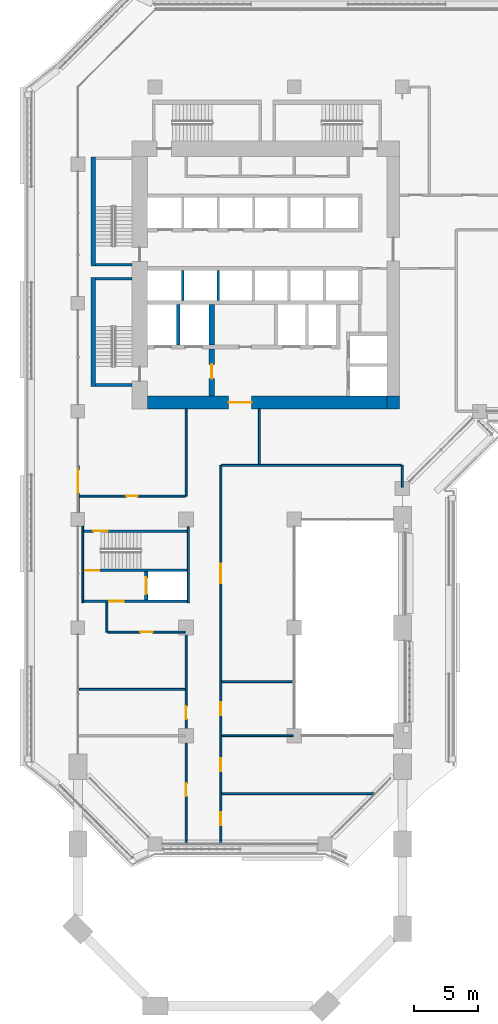
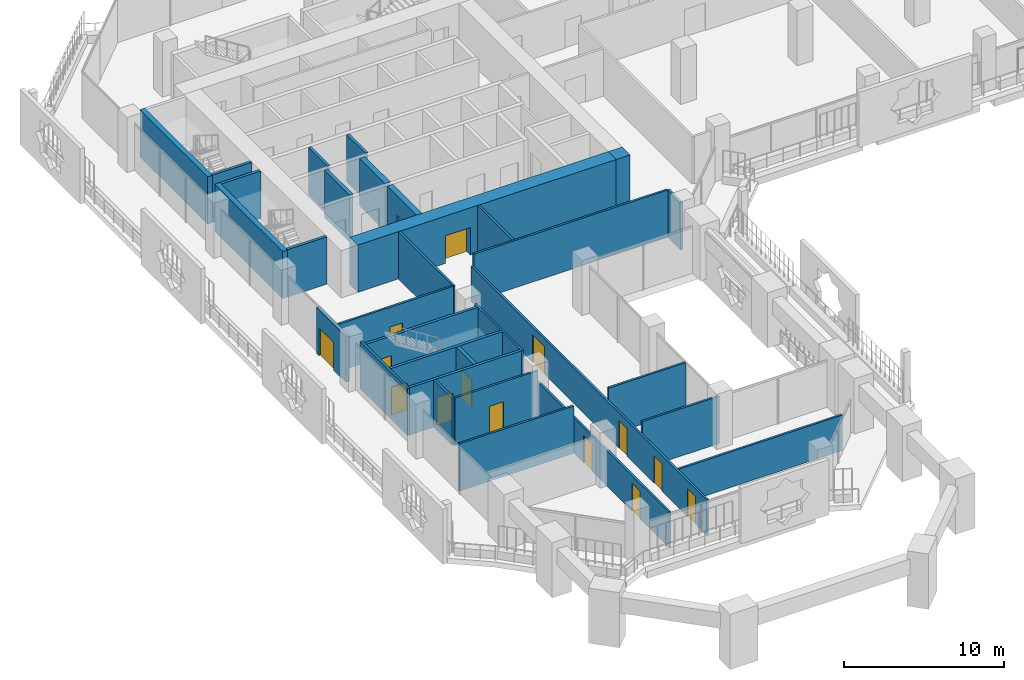
# One storey, part 13 of 27: 32 walls, 15 doors, 15 openings.
"""IFC4 building model written with IfcOpenShell, lengths in metres."""

from ifc_helpers import new_model, si_unit, direction, frame, frame_2d, origin, place, context, subcontext, project, spatial, rectangle, extrude, material, layer, layer_set, type_object, element, fill, save


model = new_model("IFC4")

# Units and contexts
model_context = context("Model", 3, precision=1e-05, world=origin(), true_north=direction((0.0, 1.0)))
body_context = subcontext(model_context, "Body", "Model", "MODEL_VIEW")
ifc_project = project(units=[si_unit("LENGTHUNIT", "METRE"), si_unit("AREAUNIT", "SQUARE_METRE"), si_unit("VOLUMEUNIT", "CUBIC_METRE"), si_unit("PLANEANGLEUNIT", "RADIAN"), si_unit("MASSUNIT", "GRAM", prefix="KILO")], contexts=[model_context])

# Site, building, storey
site_placement = place(None, origin())
site = spatial("IfcSite", under=ifc_project, at=site_placement, CompositionType="ELEMENT")
building_placement = place(site_placement, origin())
building = spatial("IfcBuilding", under=site, at=building_placement, Name="Kawkab Arch Medical Tower", CompositionType="ELEMENT")
storey_placement = place(building_placement, frame((0.0, 0.0, 103.0)))
storey = spatial("IfcBuildingStorey", under=building, at=storey_placement, Name="L23", CompositionType="ELEMENT", Elevation=103.0)

# Wall, opening, door
ifc_material_1 = material(Name="Concrete C60/75", Category="concrete")
ifc_layer_1 = layer(ifc_material_1, 1.0)
ifc_layer_set_1 = layer_set([ifc_layer_1], Name="Concrete C60/75")
wall_type_1 = type_object("IfcWallType", Name="Core ring wall 1000 C60/75", PredefinedType="SHEAR", material=ifc_layer_set_1)
wall_1_placement = place(storey_placement, frame((5.39990234375, -24.5, 0.0), z_axis=(0.0, 0.0, 1.0), x_axis=(1.0, 0.0, 0.0)))
wall_1 = element("IfcWall", 1, at=wall_1_placement, inside=storey, type_object=wall_type_1, Name="L23 core wall", PredefinedType="SHEAR", context=body_context, shape_type="SweptSolid", body=[
    extrude(rectangle(XDim=18.60009765625, YDim=1.0, at=frame_2d((9.300048828125, 0.0))), origin(), (0.0, 0.0, 1.0), 3.60009765625),
])
opening_1_placement = place(wall_1_placement, frame((6.300048828125, 0.0, 0.0)))
opening_1 = element("IfcOpeningElement", 2, at=opening_1_placement, cuts=wall_1, Name="Opening PD", PredefinedType="OPENING", context=body_context, shape_type="SweptSolid", body=[
    extrude(rectangle(XDim=1.800048828125, YDim=2.10009765625, at=frame_2d((0.89990234375, 1.050048828125))), frame((0.0, 0.510009765625, 0.0), z_axis=(0.0, -1.0, 0.0), x_axis=(1.0, 0.0, 0.0)), (0.0, 0.0, 1.0), 1.02001953125),
])
ifc_material_2 = material(Name="Hollow metal fire door leaf")
door_type_1 = type_object("IfcDoorType", Name="Core entrance doors 1800", OperationType="DOUBLE_DOOR_SINGLE_SWING", PredefinedType="DOOR", material=ifc_material_2)
door_1_placement = place(opening_1_placement, origin())
door_1 = element("IfcDoor", 3, at=door_1_placement, inside=storey, type_object=door_type_1, Name="L23 South entrance doors", OperationType="DOUBLE_DOOR_SINGLE_SWING", OverallHeight=2.10009765625, OverallWidth=1.800048828125, PredefinedType="DOOR", context=body_context, shape_type="SweptSolid", body=[
    extrude(rectangle(XDim=1.800048828125, YDim=2.10009765625, at=frame_2d((0.89990234375, 1.050048828125))), frame((0.0, 0.02490234375, 0.0), z_axis=(0.0, -1.0, 0.0), x_axis=(1.0, 0.0, 0.0)), (0.0, 0.0, 1.0), 0.050048828125),
])
fill(opening_1, door_1)

# Walls
wall_2_placement = place(storey_placement, frame((24.5, -25.0, 0.0), z_axis=(0.0, 0.0, 1.0), x_axis=(0.0, 1.0, 0.0)))
element("IfcWall", 4, at=wall_2_placement, inside=storey, type_object=wall_type_1, Name="L23 core wall", PredefinedType="SHEAR", context=body_context, shape_type="SweptSolid", body=[
    extrude(rectangle(XDim=1.0, YDim=1.0, at=frame_2d((0.5, 0.0))), origin(), (0.0, 0.0, 1.0), 3.60009765625),
])
ifc_material_3 = material(Name="Concrete C60/75", Category="concrete")
ifc_layer_2 = layer(ifc_material_3, 0.25)
ifc_layer_set_2 = layer_set([ifc_layer_2], Name="Concrete C60/75")
wall_type_2 = type_object("IfcWallType", Name="Core shear wall 250 C60/75", PredefinedType="SHEAR", material=ifc_layer_set_2)
wall_3_placement = place(storey_placement, frame((7.800048828125, -20.050048828125, 0.0), z_axis=(0.0, 0.0, 1.0), x_axis=(0.0, 1.0, 0.0)))
element("IfcWall", 5, at=wall_3_placement, inside=storey, type_object=wall_type_2, Name="L23 core shear wall", PredefinedType="SHEAR", context=body_context, shape_type="SweptSolid", body=[
    extrude(rectangle(XDim=3.150146484375, YDim=0.25, at=frame_2d((1.5751953125, 0.0))), origin(), (0.0, 0.0, 1.0), 3.60009765625),
])

# Wall, opening, door
wall_4_placement = place(storey_placement, frame((5.300048828125, -39.85009765625, 0.0), z_axis=(0.0, 0.0, 1.0), x_axis=(0.0, 1.0, 0.0)))
wall_4 = element("IfcWall", 6, at=wall_4_placement, inside=storey, type_object=wall_type_2, Name="L23 core shear wall", PredefinedType="SHEAR", context=body_context, shape_type="SweptSolid", body=[
    extrude(rectangle(XDim=2.2001953125, YDim=0.25, at=frame_2d((1.10009765625, 0.0))), origin(), (0.0, 0.0, 1.0), 3.60009765625),
])
opening_2_placement = place(wall_4_placement, frame((0.449951171875, 0.0, 0.0)))
opening_2 = element("IfcOpeningElement", 7, at=opening_2_placement, cuts=wall_4, Name="Opening LD2", PredefinedType="OPENING", context=body_context, shape_type="SweptSolid", body=[
    extrude(rectangle(XDim=1.300048828125, YDim=2.10009765625, at=frame_2d((0.64990234375, 1.050048828125))), frame((0.0, 0.135009765625, 0.0), z_axis=(0.0, -1.0, 0.0), x_axis=(1.0, 0.0, 0.0)), (0.0, 0.0, 1.0), 0.27001953125),
])
ifc_material_4 = material(Name="Stainless steel lift door leaf", Category="steel")
door_type_2 = type_object("IfcDoorType", Name="Lift landing door 1300", OperationType="DOUBLE_DOOR_SLIDING", PredefinedType="DOOR", material=ifc_material_4)
door_2_placement = place(opening_2_placement, origin())
door_2 = element("IfcDoor", 8, at=door_2_placement, inside=storey, type_object=door_type_2, Name="L23 Lift landing door SV2", OperationType="DOUBLE_DOOR_SLIDING", OverallHeight=2.10009765625, OverallWidth=1.300048828125, PredefinedType="DOOR", context=body_context, shape_type="SweptSolid", body=[
    extrude(rectangle(XDim=1.300048828125, YDim=2.10009765625, at=frame_2d((0.64990234375, 1.050048828125))), frame((0.0, 0.02490234375, 0.0), z_axis=(0.0, -1.0, 0.0), x_axis=(1.0, 0.0, 0.0)), (0.0, 0.0, 1.0), 0.050048828125),
])
fill(opening_2, door_2)

ifc_material_5 = material(Name="Concrete C60/75", Category="concrete")
ifc_layer_3 = layer(ifc_material_5, 0.39990234375)
ifc_layer_set_3 = layer_set([ifc_layer_3], Name="Concrete C60/75")
wall_type_3 = type_object("IfcWallType", Name="Core shear wall 400 C60/75", PredefinedType="SHEAR", material=ifc_layer_set_3)
wall_5_placement = place(storey_placement, frame((10.39990234375, -24.0, 0.0), z_axis=(0.0, 0.0, 1.0), x_axis=(0.0, 1.0, 0.0)))
wall_5 = element("IfcWall", 9, at=wall_5_placement, inside=storey, type_object=wall_type_3, Name="L23 core shear wall", PredefinedType="SHEAR", context=body_context, shape_type="SweptSolid", body=[
    extrude(rectangle(XDim=3.64990234375, YDim=0.39990234375, at=frame_2d((1.824951171875, 0.0))), origin(), (0.0, 0.0, 1.0), 3.60009765625),
])
opening_3_placement = place(wall_5_placement, frame((1.35009765625, 0.0, 0.0)))
opening_3 = element("IfcOpeningElement", 10, at=opening_3_placement, cuts=wall_5, Name="Opening FD", PredefinedType="OPENING", context=body_context, shape_type="SweptSolid", body=[
    extrude(rectangle(XDim=1.10009765625, YDim=2.10009765625, at=frame_2d((0.550048828125, 1.050048828125))), frame((0.0, 0.2099609375, 0.0), z_axis=(0.0, -1.0, 0.0), x_axis=(1.0, 0.0, 0.0)), (0.0, 0.0, 1.0), 0.419921875),
])
ifc_material_6 = material(Name="Hollow metal fire door leaf")
door_type_3 = type_object("IfcDoorType", Name="Firefighting lobby door 1100", OperationType="SINGLE_SWING_LEFT", PredefinedType="DOOR", material=ifc_material_6)
door_3_placement = place(opening_3_placement, origin())
door_3 = element("IfcDoor", 11, at=door_3_placement, inside=storey, type_object=door_type_3, Name="L23 Firefighting lobby door", OperationType="SINGLE_SWING_LEFT", OverallHeight=2.10009765625, OverallWidth=1.10009765625, PredefinedType="DOOR", context=body_context, shape_type="SweptSolid", body=[
    extrude(rectangle(XDim=1.10009765625, YDim=2.10009765625, at=frame_2d((0.550048828125, 1.050048828125))), frame((0.0, 0.02490234375, 0.0), z_axis=(0.0, -1.0, 0.0), x_axis=(1.0, 0.0, 0.0)), (0.0, 0.0, 1.0), 0.050048828125),
])
fill(opening_3, door_3)

# Wall
wall_6_placement = place(storey_placement, frame((10.39990234375, -20.050048828125, 0.0), z_axis=(0.0, 0.0, 1.0), x_axis=(0.0, 1.0, 0.0)))
element("IfcWall", 12, at=wall_6_placement, inside=storey, type_object=wall_type_3, Name="L23 core shear wall", PredefinedType="SHEAR", context=body_context, shape_type="SweptSolid", body=[
    extrude(rectangle(XDim=3.150146484375, YDim=0.39990234375, at=frame_2d((1.5751953125, 0.0))), origin(), (0.0, 0.0, 1.0), 3.60009765625),
])

# Wall, opening, door
ifc_material_7 = material(Name="Bronze clad insulated wall panel")
ifc_layer_4 = layer(ifc_material_7, 0.25)
ifc_layer_set_4 = layer_set([ifc_layer_4], Name="Bronze clad insulated wall panel")
wall_type_4 = type_object("IfcWallType", Name="External wall bay 250", PredefinedType="SOLIDWALL", material=ifc_layer_set_4)
wall_7_placement = place(storey_placement, frame((0.0, -29.39990234375, 0.0), z_axis=(0.0, 0.0, 1.0), x_axis=(0.0, -1.0, 0.0)))
wall_7 = element("IfcWall", 13, at=wall_7_placement, inside=storey, type_object=wall_type_4, Name="External wall bay L23.R13.4.2", PredefinedType="SOLIDWALL", context=body_context, shape_type="SweptSolid", body=[
    extrude(rectangle(XDim=3.675048828125, YDim=0.25, at=frame_2d((1.83740234375, 0.0))), origin(), (0.0, 0.0, 1.0), 3.47998046875),
])
opening_4_placement = place(wall_7_placement, frame((0.33740234375, 0.0, 0.0)))
opening_4 = element("IfcOpeningElement", 14, at=opening_4_placement, cuts=wall_7, Name="Opening B23-701", PredefinedType="OPENING", context=body_context, shape_type="SweptSolid", body=[
    extrude(rectangle(XDim=1.800048828125, YDim=2.10009765625, at=frame_2d((0.89990234375, 1.050048828125))), frame((0.0, 0.135009765625, 0.0), z_axis=(0.0, -1.0, 0.0), x_axis=(1.0, 0.0, 0.0)), (0.0, 0.0, 1.0), 0.27001953125),
])
ifc_material_8 = material(Name="Bronze anodised aluminium door with tinted glass", Category="aluminium")
door_type_4 = type_object("IfcDoorType", Name="Double external door 1800 x 2100", OperationType="DOUBLE_DOOR_SINGLE_SWING", PredefinedType="DOOR", material=ifc_material_8)
door_4_placement = place(opening_4_placement, origin())
door_4 = element("IfcDoor", 15, at=door_4_placement, inside=storey, type_object=door_type_4, Name="External door L23.R13.4.2", OperationType="DOUBLE_DOOR_SINGLE_SWING", OverallHeight=2.10009765625, OverallWidth=1.800048828125, PredefinedType="DOOR", context=body_context, shape_type="SweptSolid", body=[
    extrude(rectangle(XDim=1.800048828125, YDim=2.10009765625, at=frame_2d((0.89990234375, 1.050048828125))), frame((0.0, 0.02490234375, 0.0), z_axis=(0.0, -1.0, 0.0), x_axis=(1.0, 0.0, 0.0)), (0.0, 0.0, 1.0), 0.050048828125),
])
fill(opening_4, door_4)

# Walls
ifc_material_9 = material(Name="Dense concrete blockwork", Category="masonry")
ifc_layer_5 = layer(ifc_material_9, 0.199951171875)
ifc_layer_set_5 = layer_set([ifc_layer_5], Name="Dense concrete blockwork")
wall_type_5 = type_object("IfcWallType", Name="Lift shaft partition 200", PredefinedType="PARTITIONING", material=ifc_layer_set_5)
for number, where, z_axis, x_axis, name in (
    (16, (8.14990234375, -16.60009765625, 0.0), (0.0, 0.0, 1.0), (0.0, 1.0, 0.0), "L23 lift shaft partition"),
    (17, (10.89990234375, -16.60009765625, 0.0), (0.0, 0.0, 1.0), (0.0, 1.0, 0.0), "L23 lift shaft partition"),
):
    element("IfcWall", number, at=place(storey_placement, frame(where, z_axis=z_axis, x_axis=x_axis)), inside=storey, type_object=wall_type_5, Name=name, PredefinedType="PARTITIONING", context=body_context, shape_type="SweptSolid", body=[
        extrude(rectangle(XDim=2.35009765625, YDim=0.199951171875, at=frame_2d((1.175048828125, 0.0))), origin(), (0.0, 0.0, 1.0), 3.60009765625),
    ])
ifc_material_10 = material(Name="Gypsum board partition on steel studs, mineral wool", Category="steel")
ifc_layer_6 = layer(ifc_material_10, 0.14990234375)
ifc_layer_set_6 = layer_set([ifc_layer_6], Name="Gypsum board partition on steel studs, mineral wool")
wall_type_6 = type_object("IfcWallType", Name="Partition 150", PredefinedType="PARTITIONING", material=ifc_layer_set_6)
wall_8_placement = place(storey_placement, frame((11.175048828125, -54.89990234375, 0.0), z_axis=(0.0, 0.0, 1.0), x_axis=(1.0, 0.0, 0.0)))
element("IfcWall", 18, at=wall_8_placement, inside=storey, type_object=wall_type_6, Name="Partition 150 w003", PredefinedType="PARTITIONING", context=body_context, shape_type="SweptSolid", body=[
    extrude(rectangle(XDim=11.81201171875, YDim=0.14990234375, at=frame_2d((5.906005859375, 0.0))), origin(), (0.0, 0.0, 1.0), 2.699951171875),
])
wall_9_placement = place(storey_placement, frame((11.175048828125, -50.39990234375, 0.0), z_axis=(0.0, 0.0, 1.0), x_axis=(1.0, 0.0, 0.0)))
element("IfcWall", 19, at=wall_9_placement, inside=storey, type_object=wall_type_6, Name="Partition 150 w005", PredefinedType="PARTITIONING", context=body_context, shape_type="SweptSolid", body=[
    extrude(rectangle(XDim=5.544921875, YDim=0.14990234375, at=frame_2d((2.7724609375, 0.0))), origin(), (0.0, 0.0, 1.0), 3.60009765625),
])
wall_10_placement = place(storey_placement, frame((0.080078125, -46.800048828125, 0.0), z_axis=(0.0, 0.0, 1.0), x_axis=(1.0, 0.0, 0.0)))
element("IfcWall", 20, at=wall_10_placement, inside=storey, type_object=wall_type_6, Name="Partition 150 w006", PredefinedType="PARTITIONING", context=body_context, shape_type="SweptSolid", body=[
    extrude(rectangle(XDim=8.244873046875, YDim=0.14990234375, at=frame_2d((4.12255859375, 0.0))), origin(), (0.0, 0.0, 1.0), 3.60009765625),
])
wall_11_placement = place(storey_placement, frame((11.175048828125, -46.199951171875, 0.0), z_axis=(0.0, 0.0, 1.0), x_axis=(1.0, 0.0, 0.0)))
element("IfcWall", 21, at=wall_11_placement, inside=storey, type_object=wall_type_6, Name="Partition 150 w007", PredefinedType="PARTITIONING", context=body_context, shape_type="SweptSolid", body=[
    extrude(rectangle(XDim=5.544921875, YDim=0.14990234375, at=frame_2d((2.7724609375, 0.0))), origin(), (0.0, 0.0, 1.0), 3.60009765625),
])

# Wall, opening, door
wall_12_placement = place(storey_placement, frame((2.326904296875, -42.35009765625, 0.0), z_axis=(0.0, 0.0, 1.0), x_axis=(1.0, 0.0, 0.0)))
wall_12 = element("IfcWall", 22, at=wall_12_placement, inside=storey, type_object=wall_type_6, Name="Partition 150 w008", PredefinedType="PARTITIONING", context=body_context, shape_type="SweptSolid", body=[
    extrude(rectangle(XDim=5.998046875, YDim=0.14990234375, at=frame_2d((2.9990234375, 0.0))), origin(), (0.0, 0.0, 1.0), 3.60009765625),
])
opening_5_placement = place(wall_12_placement, frame((2.4990234375, 0.0, 0.0)))
opening_5 = element("IfcOpeningElement", 23, at=opening_5_placement, cuts=wall_12, Name="Opening B23-022", PredefinedType="OPENING", context=body_context, shape_type="SweptSolid", body=[
    extrude(rectangle(XDim=1.0, YDim=2.10009765625, at=frame_2d((0.5, 1.050048828125))), frame((0.0, 0.0849609375, 0.0), z_axis=(0.0, -1.0, 0.0), x_axis=(1.0, 0.0, 0.0)), (0.0, 0.0, 1.0), 0.169921875),
])
ifc_material_11 = material(Name="Hollow metal door leaf")
door_type_5 = type_object("IfcDoorType", Name="Single door 1000x2100 FD30S", OperationType="NOTDEFINED", PredefinedType="DOOR", material=ifc_material_11)
door_5_placement = place(opening_5_placement, origin())
door_5 = element("IfcDoor", 24, at=door_5_placement, inside=storey, type_object=door_type_5, Name="Door B23-022", OperationType="SINGLE_SWING_LEFT", OverallHeight=2.10009765625, OverallWidth=1.0, PredefinedType="DOOR", context=body_context, shape_type="SweptSolid", body=[
    extrude(rectangle(XDim=1.0, YDim=2.10009765625, at=frame_2d((0.5, 1.050048828125))), frame((0.0, 0.02490234375, 0.0), z_axis=(0.0, -1.0, 0.0), x_axis=(1.0, 0.0, 0.0)), (0.0, 0.0, 1.0), 0.050048828125),
])
fill(opening_5, door_5)

wall_13_placement = place(storey_placement, frame((0.080078125, -31.781982421875, 0.0), z_axis=(0.0, 0.0, 1.0), x_axis=(1.0, 0.0, 0.0)))
wall_13 = element("IfcWall", 25, at=wall_13_placement, inside=storey, type_object=wall_type_6, Name="Partition 150 w009", PredefinedType="PARTITIONING", context=body_context, shape_type="SweptSolid", body=[
    extrude(rectangle(XDim=8.244873046875, YDim=0.14990234375, at=frame_2d((4.12255859375, 0.0))), origin(), (0.0, 0.0, 1.0), 3.60009765625),
])
opening_6_placement = place(wall_13_placement, frame((3.669921875, 0.0, 0.0)))
opening_6 = element("IfcOpeningElement", 26, at=opening_6_placement, cuts=wall_13, Name="Opening B23-006", PredefinedType="OPENING", context=body_context, shape_type="SweptSolid", body=[
    extrude(rectangle(XDim=0.89990234375, YDim=2.10009765625, at=frame_2d((0.449951171875, 1.050048828125))), frame((0.0, 0.0849609375, 0.0), z_axis=(0.0, -1.0, 0.0), x_axis=(1.0, 0.0, 0.0)), (0.0, 0.0, 1.0), 0.169921875),
])
ifc_material_12 = material(Name="Timber door leaf", Category="wood")
door_type_6 = type_object("IfcDoorType", Name="Single door 900x2100", OperationType="NOTDEFINED", PredefinedType="DOOR", material=ifc_material_12)
door_6_placement = place(opening_6_placement, origin())
door_6 = element("IfcDoor", 27, at=door_6_placement, inside=storey, type_object=door_type_6, Name="Door B23-006", OperationType="SINGLE_SWING_LEFT", OverallHeight=2.10009765625, OverallWidth=0.89990234375, PredefinedType="DOOR", context=body_context, shape_type="SweptSolid", body=[
    extrude(rectangle(XDim=0.89990234375, YDim=2.10009765625, at=frame_2d((0.449951171875, 1.050048828125))), frame((0.0, 0.02490234375, 0.0), z_axis=(0.0, -1.0, 0.0), x_axis=(1.0, 0.0, 0.0)), (0.0, 0.0, 1.0), 0.050048828125),
])
fill(opening_6, door_6)

# Walls
wall_14_placement = place(storey_placement, frame((11.175048828125, -29.39990234375, 0.0), z_axis=(0.0, 0.0, 1.0), x_axis=(1.0, 0.0, 0.0)))
element("IfcWall", 28, at=wall_14_placement, inside=storey, type_object=wall_type_6, Name="Partition 150 w010", PredefinedType="PARTITIONING", context=body_context, shape_type="SweptSolid", body=[
    extrude(rectangle(XDim=13.949951171875, YDim=0.14990234375, at=frame_2d((6.97509765625, 0.0))), origin(), (0.0, 0.0, 1.0), 3.60009765625),
])
wall_15_placement = place(storey_placement, frame((2.25, -42.347900390625, 0.0), z_axis=(0.0, 0.0, 1.0), x_axis=(0.0, 1.0, 0.0)))
element("IfcWall", 29, at=wall_15_placement, inside=storey, type_object=wall_type_6, Name="Partition 150 w026", PredefinedType="PARTITIONING", context=body_context, shape_type="SweptSolid", body=[
    extrude(rectangle(XDim=2.2978515625, YDim=0.14990234375, at=frame_2d((1.14892578125, 0.0))), origin(), (0.0, 0.0, 1.0), 3.60009765625),
])

# Wall, openings, doors
wall_16_placement = place(storey_placement, frame((8.39990234375, -58.719970703125, 0.0), z_axis=(0.0, 0.0, 1.0), x_axis=(0.0, 1.0, 0.0)))
wall_16 = element("IfcWall", 30, at=wall_16_placement, inside=storey, type_object=wall_type_6, Name="Partition 150 w027", PredefinedType="PARTITIONING", context=body_context, shape_type="SweptSolid", body=[
    extrude(rectangle(XDim=16.369873046875, YDim=0.14990234375, at=frame_2d((8.18505859375, 0.0))), origin(), (0.0, 0.0, 1.0), 2.699951171875),
])
opening_7_placement = place(wall_16_placement, frame((9.6201171875, 0.0, 0.0)))
opening_7 = element("IfcOpeningElement", 31, at=opening_7_placement, cuts=wall_16, Name="Opening B23-023", PredefinedType="OPENING", context=body_context, shape_type="SweptSolid", body=[
    extrude(rectangle(XDim=1.0, YDim=2.10009765625, at=frame_2d((0.5, 1.050048828125))), frame((0.0, 0.0849609375, 0.0), z_axis=(0.0, -1.0, 0.0), x_axis=(1.0, 0.0, 0.0)), (0.0, 0.0, 1.0), 0.169921875),
])
opening_8_placement = place(wall_16_placement, frame((3.6201171875, 0.0, 0.0)))
opening_8 = element("IfcOpeningElement", 32, at=opening_8_placement, cuts=wall_16, Name="Opening B23-024", PredefinedType="OPENING", context=body_context, shape_type="SweptSolid", body=[
    extrude(rectangle(XDim=1.0, YDim=2.10009765625, at=frame_2d((0.5, 1.050048828125))), frame((0.0, 0.0849609375, 0.0), z_axis=(0.0, -1.0, 0.0), x_axis=(1.0, 0.0, 0.0)), (0.0, 0.0, 1.0), 0.169921875),
])
door_7_placement = place(opening_7_placement, origin())
door_7 = element("IfcDoor", 33, at=door_7_placement, inside=storey, type_object=door_type_5, Name="Door B23-023", OperationType="SINGLE_SWING_RIGHT", OverallHeight=2.10009765625, OverallWidth=1.0, PredefinedType="DOOR", context=body_context, shape_type="SweptSolid", body=[
    extrude(rectangle(XDim=1.0, YDim=2.10009765625, at=frame_2d((0.5, 1.050048828125))), frame((0.0, 0.02490234375, 0.0), z_axis=(0.0, -1.0, 0.0), x_axis=(1.0, 0.0, 0.0)), (0.0, 0.0, 1.0), 0.050048828125),
])
fill(opening_7, door_7)
door_8_placement = place(opening_8_placement, origin())
door_8 = element("IfcDoor", 34, at=door_8_placement, inside=storey, type_object=door_type_5, Name="Door B23-024", OperationType="SINGLE_SWING_LEFT", OverallHeight=2.10009765625, OverallWidth=1.0, PredefinedType="DOOR", context=body_context, shape_type="SweptSolid", body=[
    extrude(rectangle(XDim=1.0, YDim=2.10009765625, at=frame_2d((0.5, 1.050048828125))), frame((0.0, 0.02490234375, 0.0), z_axis=(0.0, -1.0, 0.0), x_axis=(1.0, 0.0, 0.0)), (0.0, 0.0, 1.0), 0.050048828125),
])
fill(opening_8, door_8)

# Wall
wall_17_placement = place(storey_placement, frame((8.39990234375, -31.781982421875, 0.0), z_axis=(0.0, 0.0, 1.0), x_axis=(0.0, 1.0, 0.0)))
element("IfcWall", 35, at=wall_17_placement, inside=storey, type_object=wall_type_6, Name="Partition 150 w028", PredefinedType="PARTITIONING", context=body_context, shape_type="SweptSolid", body=[
    extrude(rectangle(XDim=6.781982421875, YDim=0.14990234375, at=frame_2d((3.39111328125, 0.0))), origin(), (0.0, 0.0, 1.0), 3.60009765625),
])

# Wall, openings, doors
wall_18_placement = place(storey_placement, frame((11.10009765625, -58.719970703125, 0.0), z_axis=(0.0, 0.0, 1.0), x_axis=(0.0, 1.0, 0.0)))
wall_18 = element("IfcWall", 36, at=wall_18_placement, inside=storey, type_object=wall_type_6, Name="Partition 150 w029", PredefinedType="PARTITIONING", context=body_context, shape_type="SweptSolid", body=[
    extrude(rectangle(XDim=29.320068359375, YDim=0.14990234375, at=frame_2d((14.66015625, 0.0))), origin(), (0.0, 0.0, 1.0), 2.699951171875),
])
opening_9_placement = place(wall_18_placement, frame((20.169921875, 0.0, 0.0)))
opening_9 = element("IfcOpeningElement", 37, at=opening_9_placement, cuts=wall_18, Name="Opening B23-004", PredefinedType="OPENING", context=body_context, shape_type="SweptSolid", body=[
    extrude(rectangle(XDim=1.5, YDim=2.10009765625, at=frame_2d((0.75, 1.050048828125))), frame((0.0, 0.0849609375, 0.0), z_axis=(0.0, -1.0, 0.0), x_axis=(1.0, 0.0, 0.0)), (0.0, 0.0, 1.0), 0.169921875),
])
opening_10_placement = place(wall_18_placement, frame((9.919921875, 0.0, 0.0)))
opening_10 = element("IfcOpeningElement", 38, at=opening_10_placement, cuts=wall_18, Name="Opening B23-025", PredefinedType="OPENING", context=body_context, shape_type="SweptSolid", body=[
    extrude(rectangle(XDim=1.0, YDim=2.10009765625, at=frame_2d((0.5, 1.050048828125))), frame((0.0, 0.0849609375, 0.0), z_axis=(0.0, -1.0, 0.0), x_axis=(1.0, 0.0, 0.0)), (0.0, 0.0, 1.0), 0.169921875),
])
opening_11_placement = place(wall_18_placement, frame((5.570068359375, 0.0, 0.0)))
opening_11 = element("IfcOpeningElement", 39, at=opening_11_placement, cuts=wall_18, Name="Opening B23-026", PredefinedType="OPENING", context=body_context, shape_type="SweptSolid", body=[
    extrude(rectangle(XDim=1.0, YDim=2.10009765625, at=frame_2d((0.5, 1.050048828125))), frame((0.0, 0.0849609375, 0.0), z_axis=(0.0, -1.0, 0.0), x_axis=(1.0, 0.0, 0.0)), (0.0, 0.0, 1.0), 0.169921875),
])
opening_12_placement = place(wall_18_placement, frame((1.3701171875, 0.0, 0.0)))
opening_12 = element("IfcOpeningElement", 40, at=opening_12_placement, cuts=wall_18, Name="Opening B23-027", PredefinedType="OPENING", context=body_context, shape_type="SweptSolid", body=[
    extrude(rectangle(XDim=1.0, YDim=2.10009765625, at=frame_2d((0.5, 1.050048828125))), frame((0.0, 0.0849609375, 0.0), z_axis=(0.0, -1.0, 0.0), x_axis=(1.0, 0.0, 0.0)), (0.0, 0.0, 1.0), 0.169921875),
])
ifc_material_13 = material(Name="Hollow metal door leaf")
door_type_7 = type_object("IfcDoorType", Name="Double door 1500x2100 FD30S", OperationType="NOTDEFINED", PredefinedType="DOOR", material=ifc_material_13)
door_9_placement = place(opening_9_placement, origin())
door_9 = element("IfcDoor", 41, at=door_9_placement, inside=storey, type_object=door_type_7, Name="Door B23-004", OperationType="DOUBLE_DOOR_SINGLE_SWING", OverallHeight=2.10009765625, OverallWidth=1.5, PredefinedType="DOOR", context=body_context, shape_type="SweptSolid", body=[
    extrude(rectangle(XDim=1.5, YDim=2.10009765625, at=frame_2d((0.75, 1.050048828125))), frame((0.0, 0.02490234375, 0.0), z_axis=(0.0, -1.0, 0.0), x_axis=(1.0, 0.0, 0.0)), (0.0, 0.0, 1.0), 0.050048828125),
])
fill(opening_9, door_9)
door_10_placement = place(opening_10_placement, origin())
door_10 = element("IfcDoor", 42, at=door_10_placement, inside=storey, type_object=door_type_5, Name="Door B23-025", OperationType="SINGLE_SWING_RIGHT", OverallHeight=2.10009765625, OverallWidth=1.0, PredefinedType="DOOR", context=body_context, shape_type="SweptSolid", body=[
    extrude(rectangle(XDim=1.0, YDim=2.10009765625, at=frame_2d((0.5, 1.050048828125))), frame((0.0, 0.02490234375, 0.0), z_axis=(0.0, -1.0, 0.0), x_axis=(1.0, 0.0, 0.0)), (0.0, 0.0, 1.0), 0.050048828125),
])
fill(opening_10, door_10)
door_11_placement = place(opening_11_placement, origin())
door_11 = element("IfcDoor", 43, at=door_11_placement, inside=storey, type_object=door_type_5, Name="Door B23-026", OperationType="SINGLE_SWING_RIGHT", OverallHeight=2.10009765625, OverallWidth=1.0, PredefinedType="DOOR", context=body_context, shape_type="SweptSolid", body=[
    extrude(rectangle(XDim=1.0, YDim=2.10009765625, at=frame_2d((0.5, 1.050048828125))), frame((0.0, 0.02490234375, 0.0), z_axis=(0.0, -1.0, 0.0), x_axis=(1.0, 0.0, 0.0)), (0.0, 0.0, 1.0), 0.050048828125),
])
fill(opening_11, door_11)
door_12_placement = place(opening_12_placement, origin())
door_12 = element("IfcDoor", 44, at=door_12_placement, inside=storey, type_object=door_type_5, Name="Door B23-027", OperationType="SINGLE_SWING_RIGHT", OverallHeight=2.10009765625, OverallWidth=1.0, PredefinedType="DOOR", context=body_context, shape_type="SweptSolid", body=[
    extrude(rectangle(XDim=1.0, YDim=2.10009765625, at=frame_2d((0.5, 1.050048828125))), frame((0.0, 0.02490234375, 0.0), z_axis=(0.0, -1.0, 0.0), x_axis=(1.0, 0.0, 0.0)), (0.0, 0.0, 1.0), 0.050048828125),
])
fill(opening_12, door_12)

# Walls
wall_19_placement = place(storey_placement, frame((14.10009765625, -29.324951171875, 0.0), z_axis=(0.0, 0.0, 1.0), x_axis=(0.0, 1.0, 0.0)))
element("IfcWall", 45, at=wall_19_placement, inside=storey, type_object=wall_type_6, Name="Partition 150 w030", PredefinedType="PARTITIONING", context=body_context, shape_type="SweptSolid", body=[
    extrude(rectangle(XDim=4.324951171875, YDim=0.14990234375, at=frame_2d((2.16259765625, 0.0))), origin(), (0.0, 0.0, 1.0), 3.60009765625),
])
wall_20_placement = place(storey_placement, frame((25.199951171875, -31.0869140625, 0.0), z_axis=(0.0, 0.0, 1.0), x_axis=(0.0, 1.0, 0.0)))
element("IfcWall", 46, at=wall_20_placement, inside=storey, type_object=wall_type_6, Name="Partition 150 w031", PredefinedType="PARTITIONING", context=body_context, shape_type="SweptSolid", body=[
    extrude(rectangle(XDim=1.68701171875, YDim=0.14990234375, at=frame_2d((0.843505859375, 0.0))), origin(), (0.0, 0.0, 1.0), 3.60009765625),
])
ifc_material_14 = material(Name="Concrete C50/60", Category="concrete")
ifc_layer_7 = layer(ifc_material_14, 0.14990234375)
ifc_layer_set_7 = layer_set([ifc_layer_7], Name="Concrete C50/60")
wall_type_7 = type_object("IfcWallType", Name="Stair enclosure wall 150 C50/60", PredefinedType="SHEAR", material=ifc_layer_set_7)
wall_21_placement = place(storey_placement, frame((0.375, -40.050048828125, 0.0), z_axis=(0.0, 0.0, 1.0), x_axis=(0.0, 1.0, 0.0)))
element("IfcWall", 47, at=wall_21_placement, inside=storey, type_object=wall_type_7, Name="L23 stair enclosure wall", PredefinedType="SHEAR", context=body_context, shape_type="SweptSolid", body=[
    extrude(rectangle(XDim=5.925048828125, YDim=0.14990234375, at=frame_2d((2.96240234375, 0.0))), origin(), (0.0, 0.0, 1.0), 3.60009765625),
])
wall_22_placement = place(storey_placement, frame((8.574951171875, -40.050048828125, 0.0), z_axis=(0.0, 0.0, 1.0), x_axis=(0.0, 1.0, 0.0)))
element("IfcWall", 48, at=wall_22_placement, inside=storey, type_object=wall_type_7, Name="L23 stair enclosure wall", PredefinedType="SHEAR", context=body_context, shape_type="SweptSolid", body=[
    extrude(rectangle(XDim=5.875, YDim=0.14990234375, at=frame_2d((2.9375, 0.0))), origin(), (0.0, 0.0, 1.0), 3.60009765625),
])
ifc_material_15 = material(Name="Concrete C50/60", Category="concrete")
ifc_layer_8 = layer(ifc_material_15, 0.199951171875)
ifc_layer_set_8 = layer_set([ifc_layer_8], Name="Concrete C50/60")
wall_type_8 = type_object("IfcWallType", Name="Stair enclosure wall 200 C50/60", PredefinedType="SHEAR", material=ifc_layer_set_8)
for number, where, z_axis, x_axis, name in (
    (49, (1.35009765625, -13.800048828125, 0.0), (0.0, 0.0, 1.0), (1.0, 0.0, 0.0), "L23 stair enclosure wall"),
    (50, (1.35009765625, -14.89990234375, 0.0), (0.0, 0.0, 1.0), (1.0, 0.0, 0.0), "L23 stair enclosure wall"),
    (51, (1.35009765625, -23.14990234375, 0.0), (0.0, 0.0, 1.0), (1.0, 0.0, 0.0), "L23 stair enclosure wall"),
):
    element("IfcWall", number, at=place(storey_placement, frame(where, z_axis=z_axis, x_axis=x_axis)), inside=storey, type_object=wall_type_8, Name=name, PredefinedType="SHEAR", context=body_context, shape_type="SweptSolid", body=[
        extrude(rectangle(XDim=2.849853515625, YDim=0.199951171875, at=frame_2d((1.4248046875, 0.0))), origin(), (0.0, 0.0, 1.0), 3.60009765625),
    ])

# Wall, opening, door
wall_23_placement = place(storey_placement, frame((0.449951171875, -34.5, 0.0), z_axis=(0.0, 0.0, 1.0), x_axis=(1.0, 0.0, 0.0)))
wall_23 = element("IfcWall", 52, at=wall_23_placement, inside=storey, type_object=wall_type_8, Name="L23 stair enclosure wall", PredefinedType="SHEAR", context=body_context, shape_type="SweptSolid", body=[
    extrude(rectangle(XDim=8.050048828125, YDim=0.199951171875, at=frame_2d((4.02490234375, 0.0))), origin(), (0.0, 0.0, 1.0), 3.60009765625),
])
opening_13_placement = place(wall_23_placement, frame((0.75, 0.0, 0.0)))
opening_13 = element("IfcOpeningElement", 53, at=opening_13_placement, cuts=wall_23, Name="Opening SD", PredefinedType="OPENING", context=body_context, shape_type="SweptSolid", body=[
    extrude(rectangle(XDim=1.10009765625, YDim=2.10009765625, at=frame_2d((0.550048828125, 1.050048828125))), frame((0.0, 0.10986328125, 0.0), z_axis=(0.0, -1.0, 0.0), x_axis=(1.0, 0.0, 0.0)), (0.0, 0.0, 1.0), 0.219970703125),
])
ifc_material_16 = material(Name="Hollow metal fire door leaf")
door_type_8 = type_object("IfcDoorType", Name="Exit stair door 1100", OperationType="SINGLE_SWING_LEFT", PredefinedType="DOOR", material=ifc_material_16)
door_13_placement = place(opening_13_placement, origin())
door_13 = element("IfcDoor", 54, at=door_13_placement, inside=storey, type_object=door_type_8, Name="L23 Exit stair ST6 door", OperationType="SINGLE_SWING_LEFT", OverallHeight=2.10009765625, OverallWidth=1.10009765625, PredefinedType="DOOR", context=body_context, shape_type="SweptSolid", body=[
    extrude(rectangle(XDim=1.10009765625, YDim=2.10009765625, at=frame_2d((0.550048828125, 1.050048828125))), frame((0.0, 0.02490234375, 0.0), z_axis=(0.0, -1.0, 0.0), x_axis=(1.0, 0.0, 0.0)), (0.0, 0.0, 1.0), 0.050048828125),
])
fill(opening_13, door_13)

wall_24_placement = place(storey_placement, frame((0.449951171875, -37.550048828125, 0.0), z_axis=(0.0, 0.0, 1.0), x_axis=(1.0, 0.0, 0.0)))
wall_24 = element("IfcWall", 55, at=wall_24_placement, inside=storey, type_object=wall_type_8, Name="L23 stair enclosure wall", PredefinedType="SHEAR", context=body_context, shape_type="SweptSolid", body=[
    extrude(rectangle(XDim=8.050048828125, YDim=0.199951171875, at=frame_2d((4.02490234375, 0.0))), origin(), (0.0, 0.0, 1.0), 3.60009765625),
])
opening_14_placement = place(wall_24_placement, frame((0.10009765625, 0.0, 0.0)))
opening_14 = element("IfcOpeningElement", 56, at=opening_14_placement, cuts=wall_24, Name="Opening SD", PredefinedType="OPENING", context=body_context, shape_type="SweptSolid", body=[
    extrude(rectangle(XDim=1.10009765625, YDim=2.10009765625, at=frame_2d((0.550048828125, 1.050048828125))), frame((0.0, 0.10986328125, 0.0), z_axis=(0.0, -1.0, 0.0), x_axis=(1.0, 0.0, 0.0)), (0.0, 0.0, 1.0), 0.219970703125),
])
door_14_placement = place(opening_14_placement, frame((1.10009765625, 0.0, 0.0), z_axis=(0.0, 0.0, 1.0), x_axis=(-1.0, 0.0, 0.0)))
door_14 = element("IfcDoor", 57, at=door_14_placement, inside=storey, type_object=door_type_8, Name="L23 Exit stair ST6 lobby door", OperationType="SINGLE_SWING_LEFT", OverallHeight=2.10009765625, OverallWidth=1.10009765625, PredefinedType="DOOR", context=body_context, shape_type="SweptSolid", body=[
    extrude(rectangle(XDim=1.10009765625, YDim=2.10009765625, at=frame_2d((0.550048828125, 1.050048828125))), frame((0.0, 0.02490234375, 0.0), z_axis=(0.0, -1.0, 0.0), x_axis=(1.0, 0.0, 0.0)), (0.0, 0.0, 1.0), 0.050048828125),
])
fill(opening_14, door_14)

wall_25_placement = place(storey_placement, frame((0.449951171875, -39.949951171875, 0.0), z_axis=(0.0, 0.0, 1.0), x_axis=(1.0, 0.0, 0.0)))
wall_25 = element("IfcWall", 58, at=wall_25_placement, inside=storey, type_object=wall_type_8, Name="L23 stair enclosure wall", PredefinedType="SHEAR", context=body_context, shape_type="SweptSolid", body=[
    extrude(rectangle(XDim=8.050048828125, YDim=0.199951171875, at=frame_2d((4.02490234375, 0.0))), origin(), (0.0, 0.0, 1.0), 3.60009765625),
])
opening_15_placement = place(wall_25_placement, frame((2.0, 0.0, 0.0)))
opening_15 = element("IfcOpeningElement", 59, at=opening_15_placement, cuts=wall_25, Name="Opening FD", PredefinedType="OPENING", context=body_context, shape_type="SweptSolid", body=[
    extrude(rectangle(XDim=1.10009765625, YDim=2.10009765625, at=frame_2d((0.550048828125, 1.050048828125))), frame((0.0, 0.10986328125, 0.0), z_axis=(0.0, -1.0, 0.0), x_axis=(1.0, 0.0, 0.0)), (0.0, 0.0, 1.0), 0.219970703125),
])
door_15_placement = place(opening_15_placement, origin())
door_15 = element("IfcDoor", 60, at=door_15_placement, inside=storey, type_object=door_type_3, Name="L23 Service lift lobby door SV2", OperationType="SINGLE_SWING_LEFT", OverallHeight=2.10009765625, OverallWidth=1.10009765625, PredefinedType="DOOR", context=body_context, shape_type="SweptSolid", body=[
    extrude(rectangle(XDim=1.10009765625, YDim=2.10009765625, at=frame_2d((0.550048828125, 1.050048828125))), frame((0.0, 0.02490234375, 0.0), z_axis=(0.0, -1.0, 0.0), x_axis=(1.0, 0.0, 0.0)), (0.0, 0.0, 1.0), 0.050048828125),
])
fill(opening_15, door_15)

# Walls
ifc_material_17 = material(Name="Concrete C50/60", Category="concrete")
ifc_layer_9 = layer(ifc_material_17, 0.35009765625)
ifc_layer_set_9 = layer_set([ifc_layer_9], Name="Concrete C50/60")
wall_type_9 = type_object("IfcWallType", Name="Stair enclosure wall 350 C50/60", PredefinedType="SHEAR", material=ifc_layer_set_9)
for number, where, z_axis, x_axis, name in (
    (61, (1.175048828125, -13.89990234375, 0.0), (0.0, 0.0, 1.0), (0.0, 1.0, 0.0), "L23 stair enclosure wall"),
    (62, (1.175048828125, -23.25, 0.0), (0.0, 0.0, 1.0), (0.0, 1.0, 0.0), "L23 stair enclosure wall"),
):
    element("IfcWall", number, at=place(storey_placement, frame(where, z_axis=z_axis, x_axis=x_axis)), inside=storey, type_object=wall_type_9, Name=name, PredefinedType="SHEAR", context=body_context, shape_type="SweptSolid", body=[
        extrude(rectangle(XDim=8.449951171875, YDim=0.35009765625, at=frame_2d((4.22509765625, 0.0))), origin(), (0.0, 0.0, 1.0), 3.60009765625),
    ])

save(model, "model.ifc")
